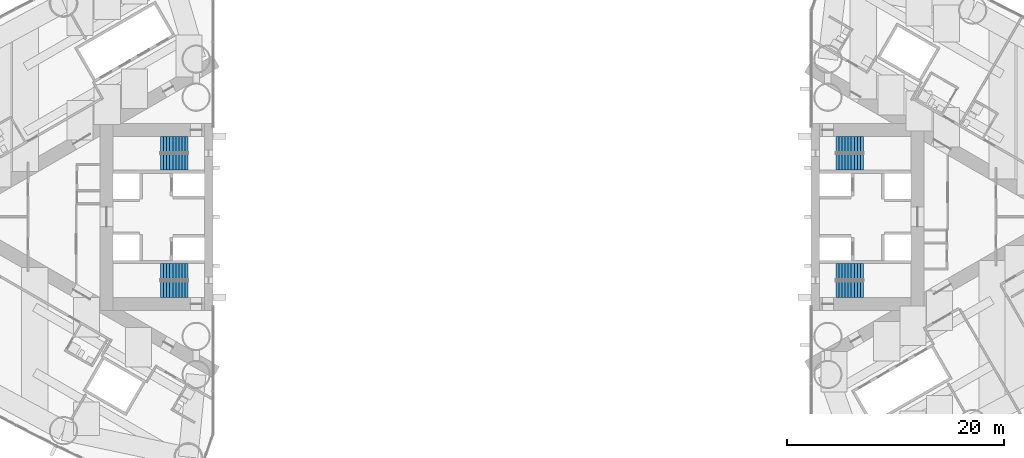
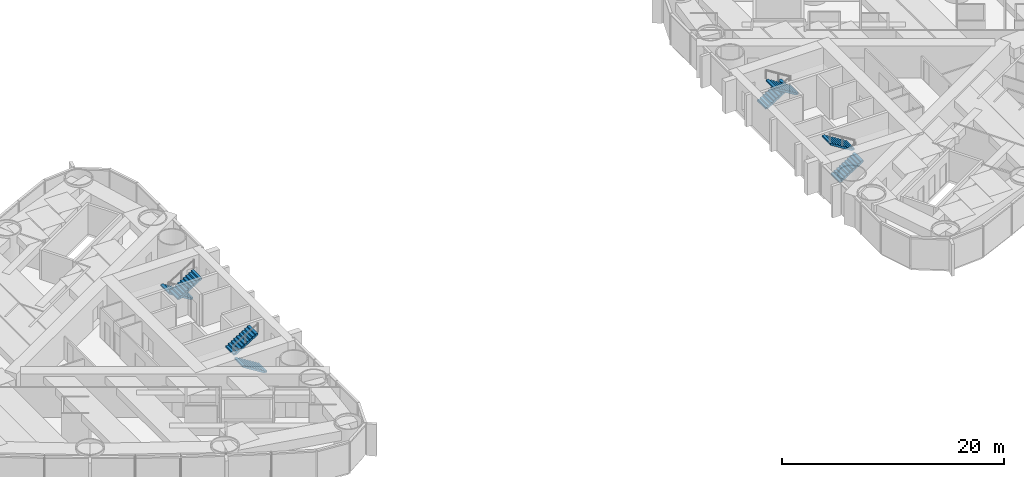
# One storey, part 16 of 18: 8 stair flights, 4 elements without a shape of their own.
"""IFC4 building model written with IfcOpenShell, lengths in metres."""

from ifc_helpers import new_model, si_unit, direction, frame, origin, place, context, subcontext, project, spatial, polyline, outline, extrude, material, type_object, element, aggregate, save


model = new_model("IFC4")

# Units and contexts
model_context = context("Model", 3, precision=1e-05, world=origin(), true_north=direction((0.0, 1.0)))
body_context = subcontext(model_context, "Body", "Model", "MODEL_VIEW")
ifc_project = project(units=[si_unit("LENGTHUNIT", "METRE"), si_unit("AREAUNIT", "SQUARE_METRE"), si_unit("VOLUMEUNIT", "CUBIC_METRE"), si_unit("PLANEANGLEUNIT", "RADIAN"), si_unit("MASSUNIT", "GRAM", prefix="KILO")], contexts=[model_context])

# Site, building, storey
site_placement = place(None, origin())
site = spatial("IfcSite", under=ifc_project, at=site_placement, CompositionType="ELEMENT")
building_placement = place(site_placement, origin())
building = spatial("IfcBuilding", under=site, at=building_placement, Name="Lancet Gate Hotel", CompositionType="ELEMENT")
storey_placement = place(building_placement, frame((0.0, 0.0, 125.60009765625)))
storey = spatial("IfcBuildingStorey", under=building, at=storey_placement, Name="L33", CompositionType="ELEMENT", Elevation=125.60009765625)

# Stair, stair flights
ifc_material_1 = material(Name="Exit stair 20 risers 1500")
stair_type = type_object("IfcStairType", Name="Exit stair 20 risers 1500", PredefinedType="HALF_TURN_STAIR", material=ifc_material_1)
stair_1_placement = place(storey_placement, origin())
stair_1 = element("IfcStair", 1, at=stair_1_placement, inside=storey, type_object=stair_type, Name="T1 stair 1 L33", PredefinedType="HALF_TURN_STAIR")
ifc_material_2 = material(Name="Stair flight 10 risers 175 rise 1500")
stair_flight_type = type_object("IfcStairFlightType", Name="Stair flight 10 risers 175 rise 1500", PredefinedType="STRAIGHT", material=ifc_material_2)
stair_flight_1_placement = place(storey_placement, frame((-29.800048828125, 6.64990234375, 0.0), z_axis=(0.0, 0.0, 1.0), x_axis=(-1.0, 0.0, 0.0)))
stair_flight_1 = element("IfcStairFlight", 2, at=stair_flight_1_placement, type_object=stair_flight_type, Name="ST1 flight 1", NumberOfRisers=10, NumberOfTreads=9, PredefinedType="STRAIGHT", RiserHeight=0.175, TreadLength=0.28, context=body_context, shape_type="SweptSolid", body=[
    extrude(outline(polyline([(0.0, 0.0), (0.0, 0.175048828125), (0.280029296875, 0.175048828125), (0.280029296875, 0.35009765625), (0.56005859375, 0.35009765625), (0.56005859375, 0.52490234375), (0.840087890625, 0.52490234375), (0.840087890625, 0.699951171875), (1.1201171875, 0.699951171875), (1.1201171875, 0.875), (1.39990234375, 0.875), (1.39990234375, 1.050048828125), (1.679931640625, 1.050048828125), (1.679931640625, 1.22509765625), (1.9599609375, 1.22509765625), (1.9599609375, 1.39990234375), (2.239990234375, 1.39990234375), (2.239990234375, 1.574951171875), (2.52001953125, 1.574951171875), (2.52001953125, 1.75), (2.52001953125, 1.398193359375), (0.28271484375, 0.0), (0.0, 0.0)])), frame((0.0, 0.75, 0.0), z_axis=(0.0, -1.0, 0.0), x_axis=(1.0, 0.0, 0.0)), (0.0, 0.0, 1.0), 1.5),
])
stair_flight_2_placement = place(storey_placement, frame((-32.320068359375, 5.050048828125, 1.75), z_axis=(0.0, 0.0, 1.0), x_axis=(1.0, 0.0, 0.0)))
stair_flight_2 = element("IfcStairFlight", 3, at=stair_flight_2_placement, type_object=stair_flight_type, Name="ST1 flight 2", NumberOfRisers=10, NumberOfTreads=9, PredefinedType="STRAIGHT", RiserHeight=0.175, TreadLength=0.28, context=body_context, shape_type="SweptSolid", body=[
    extrude(outline(polyline([(0.0, 0.0), (0.0, 0.175048828125), (0.280029296875, 0.175048828125), (0.280029296875, 0.35009765625), (0.56005859375, 0.35009765625), (0.56005859375, 0.52490234375), (0.840087890625, 0.52490234375), (0.840087890625, 0.699951171875), (1.1201171875, 0.699951171875), (1.1201171875, 0.875), (1.39990234375, 0.875), (1.39990234375, 1.050048828125), (1.679931640625, 1.050048828125), (1.679931640625, 1.22509765625), (1.9599609375, 1.22509765625), (1.9599609375, 1.39990234375), (2.239990234375, 1.39990234375), (2.239990234375, 1.574951171875), (2.52001953125, 1.574951171875), (2.52001953125, 1.75), (2.52001953125, 1.398193359375), (0.28271484375, 0.0), (0.0, 0.0)])), frame((0.0, 0.75, 0.0), z_axis=(0.0, -1.0, 0.0), x_axis=(1.0, 0.0, 0.0)), (0.0, 0.0, 1.0), 1.5),
])
aggregate(stair_1, [stair_flight_1, stair_flight_2])

stair_2_placement = place(storey_placement, origin())
stair_2 = element("IfcStair", 4, at=stair_2_placement, inside=storey, type_object=stair_type, Name="T1 stair 2 L33", PredefinedType="HALF_TURN_STAIR")
stair_flight_3_placement = place(storey_placement, frame((-29.800048828125, -6.64990234375, 0.0), z_axis=(0.0, 0.0, 1.0), x_axis=(-1.0, 0.0, 0.0)))
stair_flight_3 = element("IfcStairFlight", 5, at=stair_flight_3_placement, type_object=stair_flight_type, Name="ST2 flight 1", NumberOfRisers=10, NumberOfTreads=9, PredefinedType="STRAIGHT", RiserHeight=0.175, TreadLength=0.28, context=body_context, shape_type="SweptSolid", body=[
    extrude(outline(polyline([(0.0, 0.0), (0.0, 0.175048828125), (0.280029296875, 0.175048828125), (0.280029296875, 0.35009765625), (0.56005859375, 0.35009765625), (0.56005859375, 0.52490234375), (0.840087890625, 0.52490234375), (0.840087890625, 0.699951171875), (1.1201171875, 0.699951171875), (1.1201171875, 0.875), (1.39990234375, 0.875), (1.39990234375, 1.050048828125), (1.679931640625, 1.050048828125), (1.679931640625, 1.22509765625), (1.9599609375, 1.22509765625), (1.9599609375, 1.39990234375), (2.239990234375, 1.39990234375), (2.239990234375, 1.574951171875), (2.52001953125, 1.574951171875), (2.52001953125, 1.75), (2.52001953125, 1.398193359375), (0.28271484375, 0.0), (0.0, 0.0)])), frame((0.0, 0.75, 0.0), z_axis=(0.0, -1.0, 0.0), x_axis=(1.0, 0.0, 0.0)), (0.0, 0.0, 1.0), 1.5),
])
stair_flight_4_placement = place(storey_placement, frame((-32.320068359375, -5.050048828125, 1.75), z_axis=(0.0, 0.0, 1.0), x_axis=(1.0, 0.0, 0.0)))
stair_flight_4 = element("IfcStairFlight", 6, at=stair_flight_4_placement, type_object=stair_flight_type, Name="ST2 flight 2", NumberOfRisers=10, NumberOfTreads=9, PredefinedType="STRAIGHT", RiserHeight=0.175, TreadLength=0.28, context=body_context, shape_type="SweptSolid", body=[
    extrude(outline(polyline([(0.0, 0.0), (0.0, 0.175048828125), (0.280029296875, 0.175048828125), (0.280029296875, 0.35009765625), (0.56005859375, 0.35009765625), (0.56005859375, 0.52490234375), (0.840087890625, 0.52490234375), (0.840087890625, 0.699951171875), (1.1201171875, 0.699951171875), (1.1201171875, 0.875), (1.39990234375, 0.875), (1.39990234375, 1.050048828125), (1.679931640625, 1.050048828125), (1.679931640625, 1.22509765625), (1.9599609375, 1.22509765625), (1.9599609375, 1.39990234375), (2.239990234375, 1.39990234375), (2.239990234375, 1.574951171875), (2.52001953125, 1.574951171875), (2.52001953125, 1.75), (2.52001953125, 1.398193359375), (0.28271484375, 0.0), (0.0, 0.0)])), frame((0.0, 0.75, 0.0), z_axis=(0.0, -1.0, 0.0), x_axis=(1.0, 0.0, 0.0)), (0.0, 0.0, 1.0), 1.5),
])
aggregate(stair_2, [stair_flight_3, stair_flight_4])

stair_3_placement = place(storey_placement, origin())
stair_3 = element("IfcStair", 7, at=stair_3_placement, inside=storey, type_object=stair_type, Name="T2 stair 1 L33", PredefinedType="HALF_TURN_STAIR")
stair_flight_5_placement = place(storey_placement, frame((29.800048828125, -6.64990234375, 0.0), z_axis=(0.0, 0.0, 1.0), x_axis=(1.0, 0.0, 0.0)))
stair_flight_5 = element("IfcStairFlight", 8, at=stair_flight_5_placement, type_object=stair_flight_type, Name="ST3 flight 1", NumberOfRisers=10, NumberOfTreads=9, PredefinedType="STRAIGHT", RiserHeight=0.175, TreadLength=0.28, context=body_context, shape_type="SweptSolid", body=[
    extrude(outline(polyline([(0.0, 0.0), (0.0, 0.175048828125), (0.280029296875, 0.175048828125), (0.280029296875, 0.35009765625), (0.56005859375, 0.35009765625), (0.56005859375, 0.52490234375), (0.840087890625, 0.52490234375), (0.840087890625, 0.699951171875), (1.1201171875, 0.699951171875), (1.1201171875, 0.875), (1.39990234375, 0.875), (1.39990234375, 1.050048828125), (1.679931640625, 1.050048828125), (1.679931640625, 1.22509765625), (1.9599609375, 1.22509765625), (1.9599609375, 1.39990234375), (2.239990234375, 1.39990234375), (2.239990234375, 1.574951171875), (2.52001953125, 1.574951171875), (2.52001953125, 1.75), (2.52001953125, 1.398193359375), (0.28271484375, 0.0), (0.0, 0.0)])), frame((0.0, 0.75, 0.0), z_axis=(0.0, -1.0, 0.0), x_axis=(1.0, 0.0, 0.0)), (0.0, 0.0, 1.0), 1.5),
])
stair_flight_6_placement = place(storey_placement, frame((32.320068359375, -5.050048828125, 1.75), z_axis=(0.0, 0.0, 1.0), x_axis=(-1.0, 0.0, 0.0)))
stair_flight_6 = element("IfcStairFlight", 9, at=stair_flight_6_placement, type_object=stair_flight_type, Name="ST3 flight 2", NumberOfRisers=10, NumberOfTreads=9, PredefinedType="STRAIGHT", RiserHeight=0.175, TreadLength=0.28, context=body_context, shape_type="SweptSolid", body=[
    extrude(outline(polyline([(0.0, 0.0), (0.0, 0.175048828125), (0.280029296875, 0.175048828125), (0.280029296875, 0.35009765625), (0.56005859375, 0.35009765625), (0.56005859375, 0.52490234375), (0.840087890625, 0.52490234375), (0.840087890625, 0.699951171875), (1.1201171875, 0.699951171875), (1.1201171875, 0.875), (1.39990234375, 0.875), (1.39990234375, 1.050048828125), (1.679931640625, 1.050048828125), (1.679931640625, 1.22509765625), (1.9599609375, 1.22509765625), (1.9599609375, 1.39990234375), (2.239990234375, 1.39990234375), (2.239990234375, 1.574951171875), (2.52001953125, 1.574951171875), (2.52001953125, 1.75), (2.52001953125, 1.398193359375), (0.28271484375, 0.0), (0.0, 0.0)])), frame((0.0, 0.75, 0.0), z_axis=(0.0, -1.0, 0.0), x_axis=(1.0, 0.0, 0.0)), (0.0, 0.0, 1.0), 1.5),
])
aggregate(stair_3, [stair_flight_5, stair_flight_6])

stair_4_placement = place(storey_placement, origin())
stair_4 = element("IfcStair", 10, at=stair_4_placement, inside=storey, type_object=stair_type, Name="T2 stair 2 L33", PredefinedType="HALF_TURN_STAIR")
stair_flight_7_placement = place(storey_placement, frame((29.800048828125, 6.64990234375, 0.0), z_axis=(0.0, 0.0, 1.0), x_axis=(1.0, 0.0, 0.0)))
stair_flight_7 = element("IfcStairFlight", 11, at=stair_flight_7_placement, type_object=stair_flight_type, Name="ST4 flight 1", NumberOfRisers=10, NumberOfTreads=9, PredefinedType="STRAIGHT", RiserHeight=0.175, TreadLength=0.28, context=body_context, shape_type="SweptSolid", body=[
    extrude(outline(polyline([(0.0, 0.0), (0.0, 0.175048828125), (0.280029296875, 0.175048828125), (0.280029296875, 0.35009765625), (0.56005859375, 0.35009765625), (0.56005859375, 0.52490234375), (0.840087890625, 0.52490234375), (0.840087890625, 0.699951171875), (1.1201171875, 0.699951171875), (1.1201171875, 0.875), (1.39990234375, 0.875), (1.39990234375, 1.050048828125), (1.679931640625, 1.050048828125), (1.679931640625, 1.22509765625), (1.9599609375, 1.22509765625), (1.9599609375, 1.39990234375), (2.239990234375, 1.39990234375), (2.239990234375, 1.574951171875), (2.52001953125, 1.574951171875), (2.52001953125, 1.75), (2.52001953125, 1.398193359375), (0.28271484375, 0.0), (0.0, 0.0)])), frame((0.0, 0.75, 0.0), z_axis=(0.0, -1.0, 0.0), x_axis=(1.0, 0.0, 0.0)), (0.0, 0.0, 1.0), 1.5),
])
stair_flight_8_placement = place(storey_placement, frame((32.320068359375, 5.050048828125, 1.75), z_axis=(0.0, 0.0, 1.0), x_axis=(-1.0, 0.0, 0.0)))
stair_flight_8 = element("IfcStairFlight", 12, at=stair_flight_8_placement, type_object=stair_flight_type, Name="ST4 flight 2", NumberOfRisers=10, NumberOfTreads=9, PredefinedType="STRAIGHT", RiserHeight=0.175, TreadLength=0.28, context=body_context, shape_type="SweptSolid", body=[
    extrude(outline(polyline([(0.0, 0.0), (0.0, 0.175048828125), (0.280029296875, 0.175048828125), (0.280029296875, 0.35009765625), (0.56005859375, 0.35009765625), (0.56005859375, 0.52490234375), (0.840087890625, 0.52490234375), (0.840087890625, 0.699951171875), (1.1201171875, 0.699951171875), (1.1201171875, 0.875), (1.39990234375, 0.875), (1.39990234375, 1.050048828125), (1.679931640625, 1.050048828125), (1.679931640625, 1.22509765625), (1.9599609375, 1.22509765625), (1.9599609375, 1.39990234375), (2.239990234375, 1.39990234375), (2.239990234375, 1.574951171875), (2.52001953125, 1.574951171875), (2.52001953125, 1.75), (2.52001953125, 1.398193359375), (0.28271484375, 0.0), (0.0, 0.0)])), frame((0.0, 0.75, 0.0), z_axis=(0.0, -1.0, 0.0), x_axis=(1.0, 0.0, 0.0)), (0.0, 0.0, 1.0), 1.5),
])
aggregate(stair_4, [stair_flight_7, stair_flight_8])

save(model, "model.ifc")
